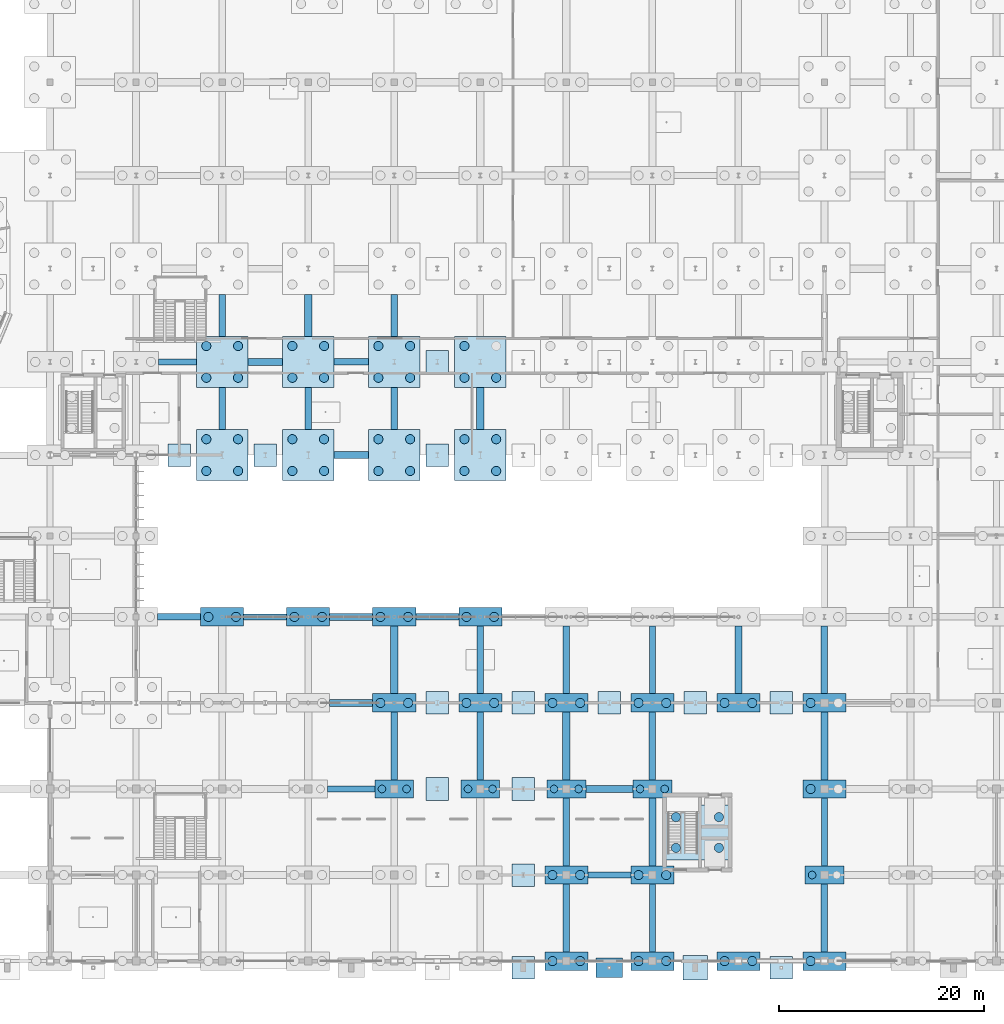
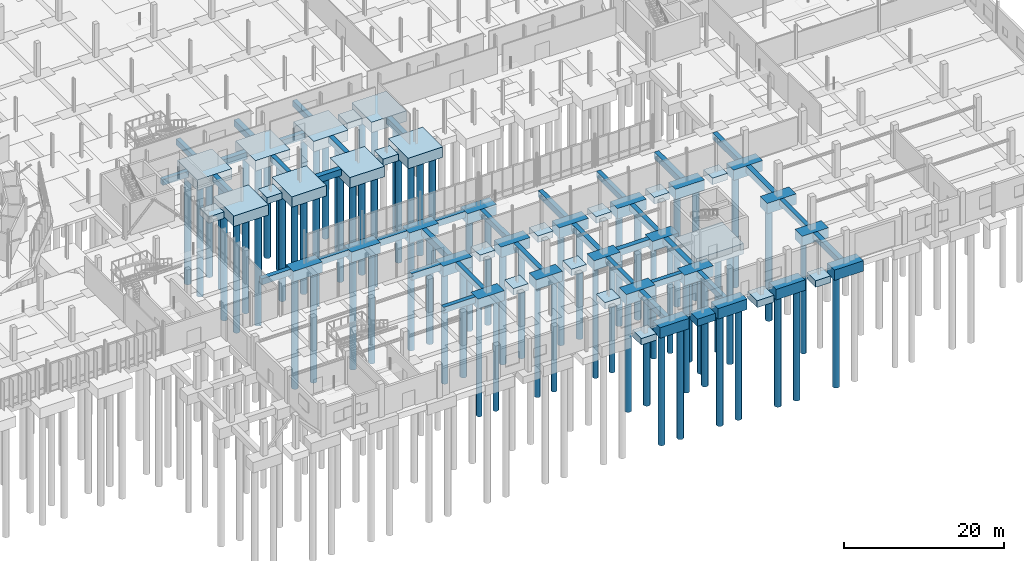
# One storey, part 3 of 119: 83 footings, 75 piles.
"""IFC4 building model written with IfcOpenShell, lengths in metres."""

from ifc_helpers import new_model, si_unit, derived_unit, direction, frame, origin, origin_2d, place, context, subcontext, project, spatial, rectangle, circle, extrude, material, layer, layer_set, material_profile, profile_set, type_object, element, save


model = new_model("IFC4")

# Units and contexts
model_context = context("Model", 3, precision=1e-05, world=origin(), true_north=direction((0.0, 1.0)))
body_context = subcontext(model_context, "Body", "Model", "MODEL_VIEW")
ifc_project = project(units=[si_unit("LENGTHUNIT", "METRE"), si_unit("AREAUNIT", "SQUARE_METRE"), si_unit("VOLUMEUNIT", "CUBIC_METRE"), si_unit("PLANEANGLEUNIT", "RADIAN"), si_unit("MASSUNIT", "GRAM", prefix="KILO"), derived_unit("THERMALTRANSMITTANCEUNIT", [(si_unit("MASSUNIT", "GRAM", prefix="KILO"), 1), (si_unit("TIMEUNIT", "SECOND"), -3), (si_unit("THERMODYNAMICTEMPERATUREUNIT", "KELVIN"), -1)])], contexts=[model_context])

# Site, building, storey
site_placement = place(None, origin())
site = spatial("IfcSite", under=ifc_project, at=site_placement, CompositionType="ELEMENT")
building_placement = place(site_placement, origin())
building = spatial("IfcBuilding", under=site, at=building_placement, Name="Makaiwela Harbour Ferry Terminal", CompositionType="ELEMENT")
storey_placement = place(building_placement, origin())
storey = spatial("IfcBuildingStorey", under=building, at=storey_placement, Name="L00", CompositionType="ELEMENT", Elevation=0.0)

# Footings
ifc_material_1 = material(Name="Concrete f'c 45 MPa (6500 psi)", Category="concrete")
ifc_layer_1 = layer(ifc_material_1, 1.0)
ifc_layer_set_1 = layer_set([ifc_layer_1], Name="Concrete f'c 45 MPa (6500 psi)")
footing_type_1 = type_object("IfcFootingType", Name="FND-PAD-01", PredefinedType="PAD_FOOTING", material=ifc_layer_set_1)
for number, where, z_axis, x_axis, name in (
    (1, (75.60009765625, 49.39990234375, -1.0), (0.0, 0.0, 1.0), (1.0, 0.0, 0.0), "Foundation Footing PF-01"),
    (2, (84.0, 49.39990234375, -1.0), (0.0, 0.0, 1.0), (1.0, 0.0, 0.0), "Foundation Footing PF-01"),
    (3, (100.800048828125, 16.800048828125, -1.0), (0.0, 0.0, 1.0), (1.0, 0.0, 0.0), "Foundation Footing PF-01"),
    (4, (100.800048828125, 25.199951171875, -1.0), (0.0, 0.0, 1.0), (1.0, 0.0, 0.0), "Foundation Footing PF-01"),
    (5, (100.800048828125, 49.39990234375, -1.0), (0.0, 0.0, 1.0), (1.0, 0.0, 0.0), "Foundation Footing PF-01"),
    (6, (100.800048828125, 58.5, -1.0), (0.0, 0.0, 1.0), (1.0, 0.0, 0.0), "Foundation Footing PF-01"),
    (7, (109.199951171875, 8.39990234375, -1.0), (0.0, 0.0, 1.0), (1.0, 0.0, 0.0), "Foundation Footing PF-01"),
    (8, (109.199951171875, 16.800048828125, -1.0), (0.0, 0.0, 1.0), (1.0, 0.0, 0.0), "Foundation Footing PF-01"),
    (9, (109.199951171875, 25.199951171875, -1.0), (0.0, 0.0, 1.0), (1.0, 0.0, 0.0), "Foundation Footing PF-01"),
    (10, (117.60009765625, 25.199951171875, -1.0), (0.0, 0.0, 1.0), (1.0, 0.0, 0.0), "Foundation Footing PF-01"),
    (11, (126.0, 25.199951171875, -1.0), (0.0, 0.0, 1.0), (1.0, 0.0, 0.0), "Foundation Footing PF-01"),
    (12, (134.39990234375, 25.199951171875, -1.0), (0.0, 0.0, 1.0), (1.0, 0.0, 0.0), "Foundation Footing PF-01"),
    (13, (109.199951171875, -0.64990234375, -1.0), (0.0, 0.0, 1.0), (1.0, 0.0, 0.0), "Foundation Footing PF-01"),
    (14, (134.39990234375, -0.64990234375, -1.0), (0.0, 0.0, 1.0), (1.0, 0.0, 0.0), "Foundation Footing PF-01"),
):
    element("IfcFooting", number, at=place(storey_placement, frame(where, z_axis=z_axis, x_axis=x_axis)), inside=storey, type_object=footing_type_1, Name=name, PredefinedType="PAD_FOOTING", context=body_context, shape_type="SweptSolid", body=[
        extrude(rectangle(XDim=2.199951171875, YDim=2.199951171875, at=origin_2d()), origin(), (0.0, 0.0, 1.0), 1.0),
    ])
ifc_layer_2 = layer(ifc_material_1, 1.10009765625)
ifc_layer_set_2 = layer_set([ifc_layer_2], Name="Concrete f'c 45 MPa (6500 psi)")
footing_type_2 = type_object("IfcFootingType", Name="FND-PAD-02", PredefinedType="PAD_FOOTING", material=ifc_layer_set_2)
footing_1_placement = place(storey_placement, frame((117.60009765625, -0.64990234375, -1.10009765625), z_axis=(0.0, 0.0, 1.0), x_axis=(1.0, 0.0, 0.0)))
element("IfcFooting", 15, at=footing_1_placement, inside=storey, type_object=footing_type_2, Name="Foundation Footing PF-02", PredefinedType="PAD_FOOTING", context=body_context, shape_type="SweptSolid", body=[
    extrude(rectangle(XDim=2.60009765625, YDim=1.89990234375, at=origin_2d()), origin(), (0.0, 0.0, 1.0), 1.10009765625),
])
ifc_layer_3 = layer(ifc_material_1, 1.050048828125)
ifc_layer_set_3 = layer_set([ifc_layer_3], Name="Concrete f'c 45 MPa (6500 psi)")
footing_type_3 = type_object("IfcFootingType", Name="FND-PAD-03", PredefinedType="PAD_FOOTING", material=ifc_layer_set_3)
footing_2_placement = place(storey_placement, frame((126.0, -0.64990234375, -1.0498046875), z_axis=(0.0, 0.0, 1.0), x_axis=(1.0, 0.0, 0.0)))
element("IfcFooting", 16, at=footing_2_placement, inside=storey, type_object=footing_type_3, Name="Foundation Footing PF-03", PredefinedType="PAD_FOOTING", context=body_context, shape_type="SweptSolid", body=[
    extrude(rectangle(XDim=2.39990234375, YDim=2.39990234375, at=origin_2d()), origin(), (0.0, 0.0, 1.0), 1.050048828125),
])
ifc_layer_4 = layer(ifc_material_1, 1.60009765625)
ifc_layer_set_4 = layer_set([ifc_layer_4], Name="Concrete f'c 45 MPa (6500 psi)")
footing_type_4 = type_object("IfcFootingType", Name="FND-PC-01", PredefinedType="PILE_CAP", material=ifc_layer_set_4)
for number, where, z_axis, x_axis, name in (
    (17, (79.800048828125, 33.60009765625, -1.60009765625), (0.0, 0.0, 1.0), (1.0, 0.0, 0.0), "Foundation Footing PC-01"),
    (18, (88.199951171875, 33.60009765625, -1.60009765625), (0.0, 0.0, 1.0), (1.0, 0.0, 0.0), "Foundation Footing PC-01"),
    (19, (96.60009765625, 25.199951171875, -1.60009765625), (0.0, 0.0, 1.0), (1.0, 0.0, 0.0), "Foundation Footing PC-01"),
    (20, (96.60009765625, 33.60009765625, -1.60009765625), (0.0, 0.0, 1.0), (1.0, 0.0, 0.0), "Foundation Footing PC-01"),
    (21, (105.0, 25.199951171875, -1.60009765625), (0.0, 0.0, 1.0), (1.0, 0.0, 0.0), "Foundation Footing PC-01"),
    (22, (105.0, 33.60009765625, -1.60009765625), (0.0, 0.0, 1.0), (1.0, 0.0, 0.0), "Foundation Footing PC-01"),
    (23, (113.39990234375, 25.199951171875, -1.60009765625), (0.0, 0.0, 1.0), (1.0, 0.0, 0.0), "Foundation Footing PC-01"),
    (24, (121.800048828125, 25.199951171875, -1.60009765625), (0.0, 0.0, 1.0), (1.0, 0.0, 0.0), "Foundation Footing PC-01"),
    (25, (130.199951171875, 25.199951171875, -1.60009765625), (0.0, 0.0, 1.0), (1.0, 0.0, 0.0), "Foundation Footing PC-01"),
    (26, (113.39990234375, 0.0, -1.60009765625), (0.0, 0.0, 1.0), (1.0, 0.0, 0.0), "Foundation Footing PC-01"),
    (27, (113.39990234375, 8.39990234375, -1.60009765625), (0.0, 0.0, 1.0), (1.0, 0.0, 0.0), "Foundation Footing PC-01"),
    (28, (121.800048828125, 0.0, -1.60009765625), (0.0, 0.0, 1.0), (1.0, 0.0, 0.0), "Foundation Footing PC-01"),
    (29, (121.800048828125, 8.39990234375, -1.60009765625), (0.0, 0.0, 1.0), (1.0, 0.0, 0.0), "Foundation Footing PC-01"),
    (30, (130.199951171875, 0.0, -1.60009765625), (0.0, 0.0, 1.0), (1.0, 0.0, 0.0), "Foundation Footing PC-01"),
    (31, (138.60009765625, 0.0, -1.60009765625), (0.0, 0.0, 1.0), (1.0, 0.0, 0.0), "Foundation Footing PC-01"),
    (32, (138.60009765625, 16.800048828125, -1.60009765625), (0.0, 0.0, 1.0), (1.0, 0.0, 0.0), "Foundation Footing PC-01"),
    (33, (138.60009765625, 25.199951171875, -1.60009765625), (0.0, 0.0, 1.0), (1.0, 0.0, 0.0), "Foundation Footing PC-01"),
):
    element("IfcFooting", number, at=place(storey_placement, frame(where, z_axis=z_axis, x_axis=x_axis)), inside=storey, type_object=footing_type_4, Name=name, PredefinedType="PILE_CAP", context=body_context, shape_type="SweptSolid", body=[
        extrude(rectangle(XDim=4.199951171875, YDim=1.800048828125, at=origin_2d()), origin(), (0.0, 0.0, 1.0), 1.60009765625),
    ])
ifc_layer_5 = layer(ifc_material_1, 1.60009765625)
ifc_layer_set_5 = layer_set([ifc_layer_5], Name="Concrete f'c 45 MPa (6500 psi)")
footing_type_5 = type_object("IfcFootingType", Name="FND-PC-04", PredefinedType="PILE_CAP", material=ifc_layer_set_5)
for number, where, z_axis, x_axis, name in (
    (34, (79.800048828125, 49.39990234375, -1.60009765625), (0.0, 0.0, 1.0), (1.0, 0.0, 0.0), "Foundation Footing PC-04"),
    (35, (79.800048828125, 58.5, -1.60009765625), (0.0, 0.0, 1.0), (1.0, 0.0, 0.0), "Foundation Footing PC-04"),
    (36, (88.199951171875, 49.39990234375, -1.60009765625), (0.0, 0.0, 1.0), (1.0, 0.0, 0.0), "Foundation Footing PC-04"),
    (37, (88.199951171875, 58.5, -1.60009765625), (0.0, 0.0, 1.0), (1.0, 0.0, 0.0), "Foundation Footing PC-04"),
    (38, (96.60009765625, 49.39990234375, -1.60009765625), (0.0, 0.0, 1.0), (1.0, 0.0, 0.0), "Foundation Footing PC-04"),
    (39, (96.60009765625, 58.5, -1.60009765625), (0.0, 0.0, 1.0), (1.0, 0.0, 0.0), "Foundation Footing PC-04"),
    (40, (105.0, 49.39990234375, -1.60009765625), (0.0, 0.0, 1.0), (1.0, 0.0, 0.0), "Foundation Footing PC-04"),
    (41, (105.0, 58.5, -1.60009765625), (0.0, 0.0, 1.0), (1.0, 0.0, 0.0), "Foundation Footing PC-04"),
):
    element("IfcFooting", number, at=place(storey_placement, frame(where, z_axis=z_axis, x_axis=x_axis)), inside=storey, type_object=footing_type_5, Name=name, PredefinedType="PILE_CAP", context=body_context, shape_type="SweptSolid", body=[
        extrude(rectangle(XDim=5.0, YDim=5.0, at=origin_2d()), origin(), (0.0, 0.0, 1.0), 1.60009765625),
    ])
ifc_layer_6 = layer(ifc_material_1, 1.5)
ifc_layer_set_6 = layer_set([ifc_layer_6], Name="Concrete f'c 45 MPa (6500 psi)")
footing_type_6 = type_object("IfcFootingType", Name="FND-PC-07", PredefinedType="PILE_CAP", material=ifc_layer_set_6)
for number, where, z_axis, x_axis, name in (
    (42, (96.60009765625, 16.800048828125, -1.5), (0.0, 0.0, 1.0), (1.0, 0.0, 0.0), "Foundation Footing PC-07"),
    (43, (105.0, 16.800048828125, -1.5), (0.0, 0.0, 1.0), (1.0, 0.0, 0.0), "Foundation Footing PC-07"),
    (44, (113.39990234375, 16.800048828125, -1.5), (0.0, 0.0, 1.0), (1.0, 0.0, 0.0), "Foundation Footing PC-07"),
    (45, (121.800048828125, 16.800048828125, -1.5), (0.0, 0.0, 1.0), (1.0, 0.0, 0.0), "Foundation Footing PC-07"),
    (46, (138.60009765625, 8.39990234375, -1.5), (0.0, 0.0, 1.0), (1.0, 0.0, 0.0), "Foundation Footing PC-07"),
):
    element("IfcFooting", number, at=place(storey_placement, frame(where, z_axis=z_axis, x_axis=x_axis)), inside=storey, type_object=footing_type_6, Name=name, PredefinedType="PILE_CAP", context=body_context, shape_type="SweptSolid", body=[
        extrude(rectangle(XDim=3.800048828125, YDim=1.800048828125, at=origin_2d()), origin(), (0.0, 0.0, 1.0), 1.5),
    ])
ifc_layer_7 = layer(ifc_material_1, 1.60009765625)
ifc_layer_set_7 = layer_set([ifc_layer_7], Name="Concrete f'c 45 MPa (6500 psi)")
footing_type_7 = type_object("IfcFootingType", Name="FND-PC-09", PredefinedType="PILE_CAP", material=ifc_layer_set_7)
footing_3_placement = place(storey_placement, frame((126.199951171875, 12.550048828125, -1.60009765625), z_axis=(0.0, 0.0, 1.0), x_axis=(1.0, 0.0, 0.0)))
element("IfcFooting", 47, at=footing_3_placement, inside=storey, type_object=footing_type_7, Name="Foundation Footing PC-09", PredefinedType="PILE_CAP", context=body_context, shape_type="SweptSolid", body=[
    extrude(rectangle(XDim=6.800048828125, YDim=5.39990234375, at=origin_2d()), origin(), (0.0, 0.0, 1.0), 1.60009765625),
])

# Piles
ifc_material_2 = material(Name="Precast concrete f'c 45 MPa (6500 psi)", Category="concrete")
ifc_material_profile_1 = material_profile(ifc_material_2, circle(Radius=0.375, at=origin_2d()), Name="PILE-D750")
ifc_profile_set_1 = profile_set([ifc_material_profile_1], Name="Precast concrete f'c 45 MPa (6500 psi)")
pile_type_1 = type_object("IfcPileType", Name="FND-PIL-D750", PredefinedType="DRIVEN", material=ifc_profile_set_1)
for number, where, z_axis, x_axis, name in (
    (48, (95.39990234375, 16.800048828125, -1.35009765625), (0.0, 0.0, -1.0), (1.0, 0.0, 0.0), "Marine Pile MP-03"),
    (49, (97.800048828125, 16.800048828125, -1.35009765625), (0.0, 0.0, -1.0), (1.0, 0.0, 0.0), "Marine Pile MP-03"),
    (50, (103.800048828125, 16.800048828125, -1.35009765625), (0.0, 0.0, -1.0), (1.0, 0.0, 0.0), "Marine Pile MP-03"),
    (51, (106.199951171875, 16.800048828125, -1.35009765625), (0.0, 0.0, -1.0), (1.0, 0.0, 0.0), "Marine Pile MP-03"),
    (52, (112.199951171875, 16.800048828125, -1.35009765625), (0.0, 0.0, -1.0), (1.0, 0.0, 0.0), "Marine Pile MP-03"),
    (53, (114.60009765625, 16.800048828125, -1.35009765625), (0.0, 0.0, -1.0), (1.0, 0.0, 0.0), "Marine Pile MP-03"),
    (54, (120.60009765625, 16.800048828125, -1.35009765625), (0.0, 0.0, -1.0), (1.0, 0.0, 0.0), "Marine Pile MP-03"),
    (55, (123.0, 16.800048828125, -1.35009765625), (0.0, 0.0, -1.0), (1.0, 0.0, 0.0), "Marine Pile MP-03"),
    (56, (137.39990234375, 8.39990234375, -1.35009765625), (0.0, 0.0, -1.0), (1.0, 0.0, 0.0), "Marine Pile MP-03"),
):
    element("IfcPile", number, at=place(storey_placement, frame(where, z_axis=z_axis, x_axis=x_axis)), inside=storey, type_object=pile_type_1, Name=name, PredefinedType="DRIVEN", context=body_context, shape_type="SweptSolid", body=[
        extrude(circle(Radius=0.375, at=origin_2d()), origin(), (0.0, 0.0, 1.0), 17.14990234375),
    ])
ifc_material_profile_2 = material_profile(ifc_material_1, circle(Radius=0.449951171875, at=origin_2d()), Name="PILE-D900")
ifc_profile_set_2 = profile_set([ifc_material_profile_2], Name="Concrete f'c 45 MPa (6500 psi)")
pile_type_2 = type_object("IfcPileType", Name="FND-PIL-D900", PredefinedType="BORED", material=ifc_profile_set_2)
for number, where, z_axis, x_axis, name in (
    (57, (124.10009765625, 11.050048828125, -1.449951171875), (0.0, 0.0, -1.0), (1.0, 0.0, 0.0), "Marine Pile MP-01"),
    (58, (128.300048828125, 11.050048828125, -1.449951171875), (0.0, 0.0, -1.0), (1.0, 0.0, 0.0), "Marine Pile MP-01"),
    (59, (124.10009765625, 14.050048828125, -1.449951171875), (0.0, 0.0, -1.0), (1.0, 0.0, 0.0), "Marine Pile MP-01"),
    (60, (128.300048828125, 14.050048828125, -1.449951171875), (0.0, 0.0, -1.0), (1.0, 0.0, 0.0), "Marine Pile MP-01"),
    (61, (78.25, 47.85009765625, -1.449951171875), (0.0, 0.0, -1.0), (1.0, 0.0, 0.0), "Marine Pile MP-01"),
    (62, (81.35009765625, 47.85009765625, -1.449951171875), (0.0, 0.0, -1.0), (1.0, 0.0, 0.0), "Marine Pile MP-01"),
    (63, (78.25, 50.949951171875, -1.449951171875), (0.0, 0.0, -1.0), (1.0, 0.0, 0.0), "Marine Pile MP-01"),
    (64, (81.35009765625, 50.949951171875, -1.449951171875), (0.0, 0.0, -1.0), (1.0, 0.0, 0.0), "Marine Pile MP-01"),
    (65, (78.25, 56.949951171875, -1.449951171875), (0.0, 0.0, -1.0), (1.0, 0.0, 0.0), "Marine Pile MP-01"),
    (66, (81.35009765625, 56.949951171875, -1.449951171875), (0.0, 0.0, -1.0), (1.0, 0.0, 0.0), "Marine Pile MP-01"),
    (67, (78.25, 60.050048828125, -1.449951171875), (0.0, 0.0, -1.0), (1.0, 0.0, 0.0), "Marine Pile MP-01"),
    (68, (81.35009765625, 60.050048828125, -1.449951171875), (0.0, 0.0, -1.0), (1.0, 0.0, 0.0), "Marine Pile MP-01"),
    (69, (86.64990234375, 47.85009765625, -1.449951171875), (0.0, 0.0, -1.0), (1.0, 0.0, 0.0), "Marine Pile MP-01"),
    (70, (89.75, 47.85009765625, -1.449951171875), (0.0, 0.0, -1.0), (1.0, 0.0, 0.0), "Marine Pile MP-01"),
    (71, (86.64990234375, 50.949951171875, -1.449951171875), (0.0, 0.0, -1.0), (1.0, 0.0, 0.0), "Marine Pile MP-01"),
    (72, (89.75, 50.949951171875, -1.449951171875), (0.0, 0.0, -1.0), (1.0, 0.0, 0.0), "Marine Pile MP-01"),
    (73, (86.64990234375, 56.949951171875, -1.449951171875), (0.0, 0.0, -1.0), (1.0, 0.0, 0.0), "Marine Pile MP-01"),
    (74, (89.75, 56.949951171875, -1.449951171875), (0.0, 0.0, -1.0), (1.0, 0.0, 0.0), "Marine Pile MP-01"),
    (75, (86.64990234375, 60.050048828125, -1.449951171875), (0.0, 0.0, -1.0), (1.0, 0.0, 0.0), "Marine Pile MP-01"),
    (76, (89.75, 60.050048828125, -1.449951171875), (0.0, 0.0, -1.0), (1.0, 0.0, 0.0), "Marine Pile MP-01"),
    (77, (95.050048828125, 47.85009765625, -1.449951171875), (0.0, 0.0, -1.0), (1.0, 0.0, 0.0), "Marine Pile MP-01"),
    (78, (98.14990234375, 47.85009765625, -1.449951171875), (0.0, 0.0, -1.0), (1.0, 0.0, 0.0), "Marine Pile MP-01"),
    (79, (95.050048828125, 50.949951171875, -1.449951171875), (0.0, 0.0, -1.0), (1.0, 0.0, 0.0), "Marine Pile MP-01"),
    (80, (98.14990234375, 50.949951171875, -1.449951171875), (0.0, 0.0, -1.0), (1.0, 0.0, 0.0), "Marine Pile MP-01"),
    (81, (95.050048828125, 56.949951171875, -1.449951171875), (0.0, 0.0, -1.0), (1.0, 0.0, 0.0), "Marine Pile MP-01"),
    (82, (98.14990234375, 56.949951171875, -1.449951171875), (0.0, 0.0, -1.0), (1.0, 0.0, 0.0), "Marine Pile MP-01"),
    (83, (95.050048828125, 60.050048828125, -1.449951171875), (0.0, 0.0, -1.0), (1.0, 0.0, 0.0), "Marine Pile MP-01"),
    (84, (98.14990234375, 60.050048828125, -1.449951171875), (0.0, 0.0, -1.0), (1.0, 0.0, 0.0), "Marine Pile MP-01"),
    (85, (103.449951171875, 47.85009765625, -1.449951171875), (0.0, 0.0, -1.0), (1.0, 0.0, 0.0), "Marine Pile MP-01"),
    (86, (106.550048828125, 47.85009765625, -1.449951171875), (0.0, 0.0, -1.0), (1.0, 0.0, 0.0), "Marine Pile MP-01"),
    (87, (103.449951171875, 50.949951171875, -1.449951171875), (0.0, 0.0, -1.0), (1.0, 0.0, 0.0), "Marine Pile MP-01"),
    (88, (106.550048828125, 50.949951171875, -1.449951171875), (0.0, 0.0, -1.0), (1.0, 0.0, 0.0), "Marine Pile MP-01"),
    (89, (103.449951171875, 56.949951171875, -1.449951171875), (0.0, 0.0, -1.0), (1.0, 0.0, 0.0), "Marine Pile MP-01"),
    (90, (106.550048828125, 56.949951171875, -1.449951171875), (0.0, 0.0, -1.0), (1.0, 0.0, 0.0), "Marine Pile MP-01"),
    (91, (103.449951171875, 60.050048828125, -1.449951171875), (0.0, 0.0, -1.0), (1.0, 0.0, 0.0), "Marine Pile MP-01"),
    (92, (78.449951171875, 33.60009765625, -1.449951171875), (0.0, 0.0, -1.0), (1.0, 0.0, 0.0), "Marine Pile MP-01"),
    (93, (81.14990234375, 33.60009765625, -1.449951171875), (0.0, 0.0, -1.0), (1.0, 0.0, 0.0), "Marine Pile MP-01"),
    (94, (86.85009765625, 33.60009765625, -1.449951171875), (0.0, 0.0, -1.0), (1.0, 0.0, 0.0), "Marine Pile MP-01"),
    (95, (89.550048828125, 33.60009765625, -1.449951171875), (0.0, 0.0, -1.0), (1.0, 0.0, 0.0), "Marine Pile MP-01"),
    (96, (95.25, 25.199951171875, -1.449951171875), (0.0, 0.0, -1.0), (1.0, 0.0, 0.0), "Marine Pile MP-01"),
    (97, (97.949951171875, 25.199951171875, -1.449951171875), (0.0, 0.0, -1.0), (1.0, 0.0, 0.0), "Marine Pile MP-01"),
    (98, (95.25, 33.60009765625, -1.449951171875), (0.0, 0.0, -1.0), (1.0, 0.0, 0.0), "Marine Pile MP-01"),
    (99, (97.949951171875, 33.60009765625, -1.449951171875), (0.0, 0.0, -1.0), (1.0, 0.0, 0.0), "Marine Pile MP-01"),
    (100, (103.64990234375, 25.199951171875, -1.449951171875), (0.0, 0.0, -1.0), (1.0, 0.0, 0.0), "Marine Pile MP-01"),
    (101, (106.35009765625, 25.199951171875, -1.449951171875), (0.0, 0.0, -1.0), (1.0, 0.0, 0.0), "Marine Pile MP-01"),
    (102, (103.64990234375, 33.60009765625, -1.449951171875), (0.0, 0.0, -1.0), (1.0, 0.0, 0.0), "Marine Pile MP-01"),
    (103, (106.35009765625, 33.60009765625, -1.449951171875), (0.0, 0.0, -1.0), (1.0, 0.0, 0.0), "Marine Pile MP-01"),
    (104, (112.050048828125, 25.199951171875, -1.449951171875), (0.0, 0.0, -1.0), (1.0, 0.0, 0.0), "Marine Pile MP-01"),
    (105, (114.75, 25.199951171875, -1.449951171875), (0.0, 0.0, -1.0), (1.0, 0.0, 0.0), "Marine Pile MP-01"),
    (106, (120.449951171875, 25.199951171875, -1.449951171875), (0.0, 0.0, -1.0), (1.0, 0.0, 0.0), "Marine Pile MP-01"),
    (107, (123.14990234375, 25.199951171875, -1.449951171875), (0.0, 0.0, -1.0), (1.0, 0.0, 0.0), "Marine Pile MP-01"),
    (108, (128.85009765625, 25.199951171875, -1.449951171875), (0.0, 0.0, -1.0), (1.0, 0.0, 0.0), "Marine Pile MP-01"),
    (109, (131.550048828125, 25.199951171875, -1.449951171875), (0.0, 0.0, -1.0), (1.0, 0.0, 0.0), "Marine Pile MP-01"),
    (110, (112.050048828125, 0.0, -1.449951171875), (0.0, 0.0, -1.0), (1.0, 0.0, 0.0), "Marine Pile MP-01"),
    (111, (114.75, 0.0, -1.449951171875), (0.0, 0.0, -1.0), (1.0, 0.0, 0.0), "Marine Pile MP-01"),
    (112, (112.050048828125, 8.39990234375, -1.449951171875), (0.0, 0.0, -1.0), (1.0, 0.0, 0.0), "Marine Pile MP-01"),
    (113, (114.75, 8.39990234375, -1.449951171875), (0.0, 0.0, -1.0), (1.0, 0.0, 0.0), "Marine Pile MP-01"),
    (114, (120.449951171875, 0.0, -1.449951171875), (0.0, 0.0, -1.0), (1.0, 0.0, 0.0), "Marine Pile MP-01"),
    (115, (123.14990234375, 0.0, -1.449951171875), (0.0, 0.0, -1.0), (1.0, 0.0, 0.0), "Marine Pile MP-01"),
    (116, (120.449951171875, 8.39990234375, -1.449951171875), (0.0, 0.0, -1.0), (1.0, 0.0, 0.0), "Marine Pile MP-01"),
    (117, (123.14990234375, 8.39990234375, -1.449951171875), (0.0, 0.0, -1.0), (1.0, 0.0, 0.0), "Marine Pile MP-01"),
    (118, (128.85009765625, 0.0, -1.449951171875), (0.0, 0.0, -1.0), (1.0, 0.0, 0.0), "Marine Pile MP-01"),
    (119, (131.550048828125, 0.0, -1.449951171875), (0.0, 0.0, -1.0), (1.0, 0.0, 0.0), "Marine Pile MP-01"),
    (120, (137.25, 0.0, -1.449951171875), (0.0, 0.0, -1.0), (1.0, 0.0, 0.0), "Marine Pile MP-01"),
    (121, (137.25, 16.800048828125, -1.449951171875), (0.0, 0.0, -1.0), (1.0, 0.0, 0.0), "Marine Pile MP-01"),
    (122, (137.25, 25.199951171875, -1.449951171875), (0.0, 0.0, -1.0), (1.0, 0.0, 0.0), "Marine Pile MP-01"),
):
    element("IfcPile", number, at=place(storey_placement, frame(where, z_axis=z_axis, x_axis=x_axis)), inside=storey, type_object=pile_type_2, Name=name, PredefinedType="BORED", context=body_context, shape_type="SweptSolid", body=[
        extrude(circle(Radius=0.449951171875, at=origin_2d()), origin(), (0.0, 0.0, 1.0), 17.050048828125),
    ])

# Footings
ifc_layer_8 = layer(ifc_material_1, 0.89990234375)
ifc_layer_set_8 = layer_set([ifc_layer_8], Name="Concrete f'c 45 MPa (6500 psi)")
footing_type_8 = type_object("IfcFootingType", Name="FND-TB-01", PredefinedType="FOOTING_BEAM", material=ifc_layer_set_8)
footing_4_placement = place(storey_placement, frame((117.60009765625, 8.39990234375, -0.89990234375), z_axis=(0.0, 0.0, 1.0), x_axis=(1.0, 0.0, 0.0)))
element("IfcFooting", 123, at=footing_4_placement, inside=storey, type_object=footing_type_8, Name="Foundation Footing TB-01", PredefinedType="FOOTING_BEAM", context=body_context, shape_type="SweptSolid", body=[
    extrude(rectangle(XDim=4.199951171875, YDim=0.60009765625, at=origin_2d()), origin(), (0.0, 0.0, 1.0), 0.89990234375),
])
footing_5_placement = place(storey_placement, frame((92.39990234375, 16.800048828125, -0.89990234375), z_axis=(0.0, 0.0, 1.0), x_axis=(1.0, 0.0, 0.0)))
element("IfcFooting", 124, at=footing_5_placement, inside=storey, type_object=footing_type_8, Name="Foundation Footing TB-01", PredefinedType="FOOTING_BEAM", context=body_context, shape_type="SweptSolid", body=[
    extrude(rectangle(XDim=4.60009765625, YDim=0.60009765625, at=origin_2d()), origin(), (0.0, 0.0, 1.0), 0.89990234375),
])
footing_6_placement = place(storey_placement, frame((84.0, 33.60009765625, -0.89990234375), z_axis=(0.0, 0.0, 1.0), x_axis=(1.0, 0.0, 0.0)))
element("IfcFooting", 125, at=footing_6_placement, inside=storey, type_object=footing_type_8, Name="Foundation Footing TB-01", PredefinedType="FOOTING_BEAM", context=body_context, shape_type="SweptSolid", body=[
    extrude(rectangle(XDim=4.199951171875, YDim=0.60009765625, at=origin_2d()), origin(), (0.0, 0.0, 1.0), 0.89990234375),
])
footing_7_placement = place(storey_placement, frame((75.449951171875, 58.5, -0.89990234375), z_axis=(0.0, 0.0, 1.0), x_axis=(1.0, 0.0, 0.0)))
element("IfcFooting", 126, at=footing_7_placement, inside=storey, type_object=footing_type_8, Name="Foundation Footing TB-01", PredefinedType="FOOTING_BEAM", context=body_context, shape_type="SweptSolid", body=[
    extrude(rectangle(XDim=3.699951171875, YDim=0.60009765625, at=origin_2d()), origin(), (0.0, 0.0, 1.0), 0.89990234375),
])
for number, where, z_axis, x_axis, name in (
    (127, (79.800048828125, 63.050048828125, -0.89990234375), (0.0, 0.0, 1.0), (0.0, 1.0, 0.0), "Foundation Footing TB-01"),
    (128, (88.199951171875, 53.949951171875, -0.89990234375), (0.0, 0.0, 1.0), (0.0, 1.0, 0.0), "Foundation Footing TB-01"),
):
    element("IfcFooting", number, at=place(storey_placement, frame(where, z_axis=z_axis, x_axis=x_axis)), inside=storey, type_object=footing_type_8, Name=name, PredefinedType="FOOTING_BEAM", context=body_context, shape_type="SweptSolid", body=[
        extrude(rectangle(XDim=4.10009765625, YDim=0.60009765625, at=origin_2d()), origin(), (0.0, 0.0, 1.0), 0.89990234375),
    ])
footing_8_placement = place(storey_placement, frame((96.60009765625, 21.0, -0.89990234375), z_axis=(0.0, 0.0, 1.0), x_axis=(0.0, 1.0, 0.0)))
element("IfcFooting", 129, at=footing_8_placement, inside=storey, type_object=footing_type_8, Name="Foundation Footing TB-01", PredefinedType="FOOTING_BEAM", context=body_context, shape_type="SweptSolid", body=[
    extrude(rectangle(XDim=6.60009765625, YDim=0.60009765625, at=origin_2d()), origin(), (0.0, 0.0, 1.0), 0.89990234375),
])
footing_9_placement = place(storey_placement, frame((96.60009765625, 63.050048828125, -0.89990234375), z_axis=(0.0, 0.0, 1.0), x_axis=(0.0, 1.0, 0.0)))
element("IfcFooting", 130, at=footing_9_placement, inside=storey, type_object=footing_type_8, Name="Foundation Footing TB-01", PredefinedType="FOOTING_BEAM", context=body_context, shape_type="SweptSolid", body=[
    extrude(rectangle(XDim=4.10009765625, YDim=0.60009765625, at=origin_2d()), origin(), (0.0, 0.0, 1.0), 0.89990234375),
])
for number, where, z_axis, x_axis, name in (
    (131, (105.0, 29.39990234375, -0.89990234375), (0.0, 0.0, 1.0), (0.0, 1.0, 0.0), "Foundation Footing TB-01"),
    (132, (113.39990234375, 12.60009765625, -0.89990234375), (0.0, 0.0, 1.0), (0.0, 1.0, 0.0), "Foundation Footing TB-01"),
    (133, (121.800048828125, 4.199951171875, -0.89990234375), (0.0, 0.0, 1.0), (0.0, 1.0, 0.0), "Foundation Footing TB-01"),
    (134, (121.800048828125, 29.39990234375, -0.89990234375), (0.0, 0.0, 1.0), (0.0, 1.0, 0.0), "Foundation Footing TB-01"),
    (135, (138.60009765625, 12.60009765625, -0.89990234375), (0.0, 0.0, 1.0), (0.0, 1.0, 0.0), "Foundation Footing TB-01"),
):
    element("IfcFooting", number, at=place(storey_placement, frame(where, z_axis=z_axis, x_axis=x_axis)), inside=storey, type_object=footing_type_8, Name=name, PredefinedType="FOOTING_BEAM", context=body_context, shape_type="SweptSolid", body=[
        extrude(rectangle(XDim=6.60009765625, YDim=0.60009765625, at=origin_2d()), origin(), (0.0, 0.0, 1.0), 0.89990234375),
    ])
ifc_layer_9 = layer(ifc_material_1, 1.0)
ifc_layer_set_9 = layer_set([ifc_layer_9], Name="Concrete f'c 45 MPa (6500 psi)")
footing_type_9 = type_object("IfcFootingType", Name="FND-TB-02", PredefinedType="FOOTING_BEAM", material=ifc_layer_set_9)
footing_10_placement = place(storey_placement, frame((117.60009765625, 16.800048828125, -1.0), z_axis=(0.0, 0.0, 1.0), x_axis=(1.0, 0.0, 0.0)))
element("IfcFooting", 136, at=footing_10_placement, inside=storey, type_object=footing_type_9, Name="Foundation Footing TB-02", PredefinedType="FOOTING_BEAM", context=body_context, shape_type="SweptSolid", body=[
    extrude(rectangle(XDim=4.60009765625, YDim=0.699951171875, at=origin_2d()), origin(), (0.0, 0.0, 1.0), 1.0),
])
for number, where, z_axis, x_axis, name in (
    (137, (92.39990234375, 25.199951171875, -1.0), (0.0, 0.0, 1.0), (1.0, 0.0, 0.0), "Foundation Footing TB-02"),
    (138, (92.39990234375, 33.60009765625, -1.0), (0.0, 0.0, 1.0), (1.0, 0.0, 0.0), "Foundation Footing TB-02"),
):
    element("IfcFooting", number, at=place(storey_placement, frame(where, z_axis=z_axis, x_axis=x_axis)), inside=storey, type_object=footing_type_9, Name=name, PredefinedType="FOOTING_BEAM", context=body_context, shape_type="SweptSolid", body=[
        extrude(rectangle(XDim=4.199951171875, YDim=0.699951171875, at=origin_2d()), origin(), (0.0, 0.0, 1.0), 1.0),
    ])
for number, where, z_axis, x_axis, name in (
    (139, (92.39990234375, 49.39990234375, -1.0), (0.0, 0.0, 1.0), (1.0, 0.0, 0.0), "Foundation Footing TB-02"),
    (140, (84.0, 58.5, -1.0), (0.0, 0.0, 1.0), (1.0, 0.0, 0.0), "Foundation Footing TB-02"),
):
    element("IfcFooting", number, at=place(storey_placement, frame(where, z_axis=z_axis, x_axis=x_axis)), inside=storey, type_object=footing_type_9, Name=name, PredefinedType="FOOTING_BEAM", context=body_context, shape_type="SweptSolid", body=[
        extrude(rectangle(XDim=3.39990234375, YDim=0.699951171875, at=origin_2d()), origin(), (0.0, 0.0, 1.0), 1.0),
    ])
footing_11_placement = place(storey_placement, frame((88.199951171875, 63.050048828125, -1.0), z_axis=(0.0, 0.0, 1.0), x_axis=(0.0, 1.0, 0.0)))
element("IfcFooting", 141, at=footing_11_placement, inside=storey, type_object=footing_type_9, Name="Foundation Footing TB-02", PredefinedType="FOOTING_BEAM", context=body_context, shape_type="SweptSolid", body=[
    extrude(rectangle(XDim=4.10009765625, YDim=0.699951171875, at=origin_2d()), origin(), (0.0, 0.0, 1.0), 1.0),
])
footing_12_placement = place(storey_placement, frame((96.60009765625, 29.39990234375, -1.0), z_axis=(0.0, 0.0, 1.0), x_axis=(0.0, 1.0, 0.0)))
element("IfcFooting", 142, at=footing_12_placement, inside=storey, type_object=footing_type_9, Name="Foundation Footing TB-02", PredefinedType="FOOTING_BEAM", context=body_context, shape_type="SweptSolid", body=[
    extrude(rectangle(XDim=6.60009765625, YDim=0.699951171875, at=origin_2d()), origin(), (0.0, 0.0, 1.0), 1.0),
])
footing_13_placement = place(storey_placement, frame((105.0, 53.949951171875, -1.0), z_axis=(0.0, 0.0, 1.0), x_axis=(0.0, 1.0, 0.0)))
element("IfcFooting", 143, at=footing_13_placement, inside=storey, type_object=footing_type_9, Name="Foundation Footing TB-02", PredefinedType="FOOTING_BEAM", context=body_context, shape_type="SweptSolid", body=[
    extrude(rectangle(XDim=4.10009765625, YDim=0.699951171875, at=origin_2d()), origin(), (0.0, 0.0, 1.0), 1.0),
])
for number, where, z_axis, x_axis, name in (
    (144, (113.39990234375, 21.0, -1.0), (0.0, 0.0, 1.0), (0.0, 1.0, 0.0), "Foundation Footing TB-02"),
    (145, (121.800048828125, 12.60009765625, -1.0), (0.0, 0.0, 1.0), (0.0, 1.0, 0.0), "Foundation Footing TB-02"),
    (146, (130.199951171875, 29.39990234375, -1.0), (0.0, 0.0, 1.0), (0.0, 1.0, 0.0), "Foundation Footing TB-02"),
    (147, (138.60009765625, 21.0, -1.0), (0.0, 0.0, 1.0), (0.0, 1.0, 0.0), "Foundation Footing TB-02"),
):
    element("IfcFooting", number, at=place(storey_placement, frame(where, z_axis=z_axis, x_axis=x_axis)), inside=storey, type_object=footing_type_9, Name=name, PredefinedType="FOOTING_BEAM", context=body_context, shape_type="SweptSolid", body=[
        extrude(rectangle(XDim=6.60009765625, YDim=0.699951171875, at=origin_2d()), origin(), (0.0, 0.0, 1.0), 1.0),
    ])
ifc_layer_10 = layer(ifc_material_1, 0.949951171875)
ifc_layer_set_10 = layer_set([ifc_layer_10], Name="Concrete f'c 45 MPa (6500 psi)")
footing_type_10 = type_object("IfcFootingType", Name="FND-TB-03", PredefinedType="FOOTING_BEAM", material=ifc_layer_set_10)
for number, where, z_axis, x_axis, name in (
    (148, (75.60009765625, 33.60009765625, -0.9501953125), (0.0, 0.0, 1.0), (1.0, 0.0, 0.0), "Foundation Footing TB-03"),
    (149, (100.800048828125, 33.60009765625, -0.9501953125), (0.0, 0.0, 1.0), (1.0, 0.0, 0.0), "Foundation Footing TB-03"),
):
    element("IfcFooting", number, at=place(storey_placement, frame(where, z_axis=z_axis, x_axis=x_axis)), inside=storey, type_object=footing_type_10, Name=name, PredefinedType="FOOTING_BEAM", context=body_context, shape_type="SweptSolid", body=[
        extrude(rectangle(XDim=4.199951171875, YDim=0.64990234375, at=origin_2d()), origin(), (0.0, 0.0, 1.0), 0.949951171875),
    ])
footing_14_placement = place(storey_placement, frame((92.39990234375, 58.5, -0.9501953125), z_axis=(0.0, 0.0, 1.0), x_axis=(1.0, 0.0, 0.0)))
element("IfcFooting", 150, at=footing_14_placement, inside=storey, type_object=footing_type_10, Name="Foundation Footing TB-03", PredefinedType="FOOTING_BEAM", context=body_context, shape_type="SweptSolid", body=[
    extrude(rectangle(XDim=3.39990234375, YDim=0.64990234375, at=origin_2d()), origin(), (0.0, 0.0, 1.0), 0.949951171875),
])
for number, where, z_axis, x_axis, name in (
    (151, (79.800048828125, 53.949951171875, -0.9501953125), (0.0, 0.0, 1.0), (0.0, 1.0, 0.0), "Foundation Footing TB-03"),
    (152, (96.60009765625, 53.949951171875, -0.9501953125), (0.0, 0.0, 1.0), (0.0, 1.0, 0.0), "Foundation Footing TB-03"),
):
    element("IfcFooting", number, at=place(storey_placement, frame(where, z_axis=z_axis, x_axis=x_axis)), inside=storey, type_object=footing_type_10, Name=name, PredefinedType="FOOTING_BEAM", context=body_context, shape_type="SweptSolid", body=[
        extrude(rectangle(XDim=4.10009765625, YDim=0.64990234375, at=origin_2d()), origin(), (0.0, 0.0, 1.0), 0.949951171875),
    ])
for number, where, z_axis, x_axis, name in (
    (153, (105.0, 21.0, -0.9501953125), (0.0, 0.0, 1.0), (0.0, 1.0, 0.0), "Foundation Footing TB-03"),
    (154, (113.39990234375, 4.199951171875, -0.9501953125), (0.0, 0.0, 1.0), (0.0, 1.0, 0.0), "Foundation Footing TB-03"),
    (155, (113.39990234375, 29.39990234375, -0.9501953125), (0.0, 0.0, 1.0), (0.0, 1.0, 0.0), "Foundation Footing TB-03"),
    (156, (121.800048828125, 21.0, -0.9501953125), (0.0, 0.0, 1.0), (0.0, 1.0, 0.0), "Foundation Footing TB-03"),
    (157, (138.60009765625, 4.199951171875, -0.9501953125), (0.0, 0.0, 1.0), (0.0, 1.0, 0.0), "Foundation Footing TB-03"),
    (158, (138.60009765625, 29.39990234375, -0.9501953125), (0.0, 0.0, 1.0), (0.0, 1.0, 0.0), "Foundation Footing TB-03"),
):
    element("IfcFooting", number, at=place(storey_placement, frame(where, z_axis=z_axis, x_axis=x_axis)), inside=storey, type_object=footing_type_10, Name=name, PredefinedType="FOOTING_BEAM", context=body_context, shape_type="SweptSolid", body=[
        extrude(rectangle(XDim=6.60009765625, YDim=0.64990234375, at=origin_2d()), origin(), (0.0, 0.0, 1.0), 0.949951171875),
    ])

save(model, "model.ifc")
